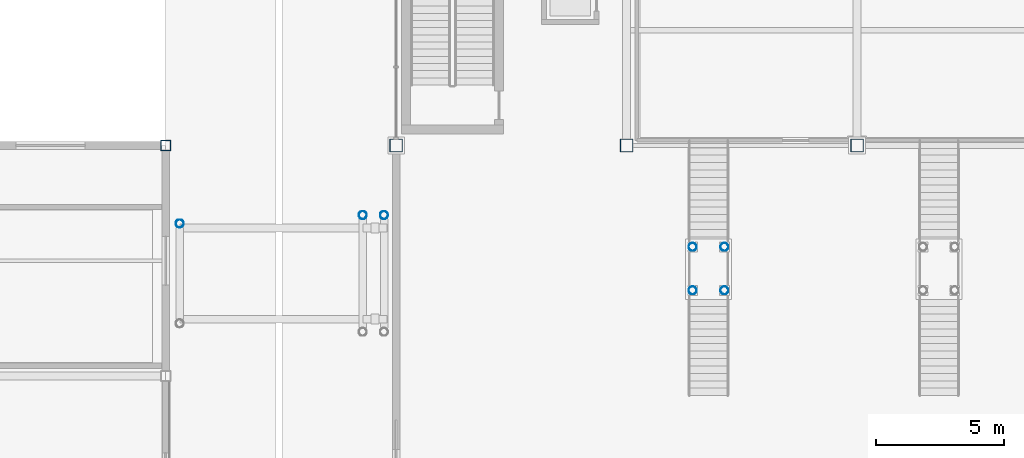
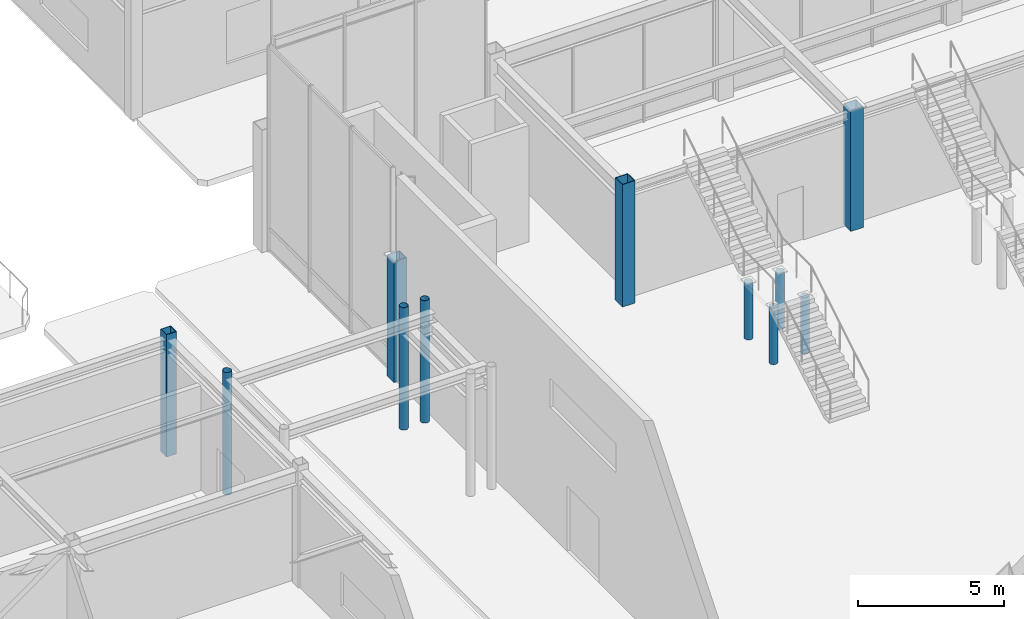
# One storey, part 5 of 123: 11 columns.
"""IFC4 building model written with IfcOpenShell, lengths in metres."""

from ifc_helpers import new_model, si_unit, direction, frame, origin, origin_2d, place, context, subcontext, project, spatial, hollow_rectangle, hollow_circle, extrude, material, material_profile, profile_set, type_object, element, save


model = new_model("IFC4")

# Units and contexts
model_context = context("Model", 3, precision=1e-05, world=origin(), true_north=direction((0.0, 1.0)))
body_context = subcontext(model_context, "Body", "Model", "MODEL_VIEW")
ifc_project = project(units=[si_unit("LENGTHUNIT", "METRE"), si_unit("AREAUNIT", "SQUARE_METRE"), si_unit("VOLUMEUNIT", "CUBIC_METRE"), si_unit("PLANEANGLEUNIT", "RADIAN"), si_unit("MASSUNIT", "GRAM", prefix="KILO")], contexts=[model_context])

# Site, building, storey
site_placement = place(None, origin())
site = spatial("IfcSite", under=ifc_project, at=site_placement, CompositionType="ELEMENT")
building_placement = place(site_placement, origin())
building = spatial("IfcBuilding", under=site, at=building_placement, Name="Suzunagisa Mobility Hub", CompositionType="ELEMENT")
storey_placement = place(building_placement, origin())
storey = spatial("IfcBuildingStorey", under=building, at=storey_placement, Name="L00", CompositionType="ELEMENT", Elevation=0.0)

# Columns
ifc_material = material(Name="Steel SN490B", Category="steel")
ifc_material_profile_1 = material_profile(ifc_material, hollow_circle(Radius=0.1591796875, WallThickness=0.01025390625, at=origin_2d()), Name="CHS-318.5x10.3")
ifc_profile_set_1 = profile_set([ifc_material_profile_1], Name="Steel SN490B")
column_type_1 = type_object("IfcColumnType", Name="Steel Column CL-09 CHS-318.5x10.3", PredefinedType="COLUMN", material=ifc_profile_set_1)
for number, where, z_axis, x_axis, name in (
    (1, (36.550048828125, 58.949951171875, 0.0), (0.0, 0.0, 1.0), (1.0, 0.0, 0.0), "L00 Column 91"),
    (2, (43.699951171875, 59.280029296875, 0.0), (0.0, 0.0, 1.0), (1.0, 0.0, 0.0), "L00 Column 104"),
    (3, (44.530029296875, 59.280029296875, 0.0), (0.0, 0.0, 1.0), (1.0, 0.0, 0.0), "L00 Column 110"),
):
    element("IfcColumn", number, at=place(storey_placement, frame(where, z_axis=z_axis, x_axis=x_axis)), inside=storey, type_object=column_type_1, Name=name, PredefinedType="COLUMN", context=body_context, shape_type="SweptSolid", body=[
        extrude(hollow_circle(Radius=0.1591796875, WallThickness=0.01025390625, at=origin_2d()), origin(), (0.0, 0.0, 1.0), 5.10009765625),
    ])
for number, where, z_axis, x_axis, name in (
    (4, (56.580078125, 56.340087890625, 0.0), (0.0, 0.0, 1.0), (1.0, 0.0, 0.0), "L00 Concourse Stair Post CS-01-1"),
    (5, (57.820068359375, 56.340087890625, 0.0), (0.0, 0.0, 1.0), (1.0, 0.0, 0.0), "L00 Concourse Stair Post CS-01-2"),
    (6, (56.580078125, 58.0400390625, 0.0), (0.0, 0.0, 1.0), (1.0, 0.0, 0.0), "L00 Concourse Stair Post CS-01-3"),
    (7, (57.820068359375, 58.0400390625, 0.0), (0.0, 0.0, 1.0), (1.0, 0.0, 0.0), "L00 Concourse Stair Post CS-01-4"),
):
    element("IfcColumn", number, at=place(storey_placement, frame(where, z_axis=z_axis, x_axis=x_axis)), inside=storey, type_object=column_type_1, Name=name, PredefinedType="COLUMN", context=body_context, shape_type="SweptSolid", body=[
        extrude(hollow_circle(Radius=0.1591796875, WallThickness=0.01025390625, at=origin_2d()), origin(), (0.0, 0.0, 1.0), 2.35009765625),
    ])
ifc_material_profile_2 = material_profile(ifc_material, hollow_rectangle(XDim=0.5, YDim=0.5, WallThickness=0.02490234375, at=origin_2d()), Name="BCR-500x500x25")
ifc_profile_set_2 = profile_set([ifc_material_profile_2], Name="Steel SN490B")
column_type_2 = type_object("IfcColumnType", Name="Steel Column CL-11 BCR-500x500x25", PredefinedType="COLUMN", material=ifc_profile_set_2)
column_1_placement = place(storey_placement, frame((45.0, 62.0, 0.0), z_axis=(0.0, 0.0, 1.0), x_axis=(1.0, 0.0, 0.0)))
element("IfcColumn", 8, at=column_1_placement, inside=storey, type_object=column_type_2, Name="L00 Column 116", PredefinedType="COLUMN", context=body_context, shape_type="SweptSolid", body=[
    extrude(hollow_rectangle(XDim=0.5, YDim=0.5, WallThickness=0.02490234375, at=origin_2d()), origin(), (0.0, 0.0, 1.0), 5.0400390625),
])
column_2_placement = place(storey_placement, frame((54.0, 62.0, 0.0), z_axis=(0.0, 0.0, 1.0), x_axis=(1.0, 0.0, 0.0)))
element("IfcColumn", 9, at=column_2_placement, inside=storey, type_object=column_type_2, Name="L00 Column 127", PredefinedType="COLUMN", context=body_context, shape_type="SweptSolid", body=[
    extrude(hollow_rectangle(XDim=0.5, YDim=0.5, WallThickness=0.02490234375, at=origin_2d()), origin(), (0.0, 0.0, 1.0), 5.10009765625),
])
column_3_placement = place(storey_placement, frame((63.0, 62.0, 0.0), z_axis=(0.0, 0.0, 1.0), x_axis=(1.0, 0.0, 0.0)))
element("IfcColumn", 10, at=column_3_placement, inside=storey, type_object=column_type_2, Name="L00 Column 136", PredefinedType="COLUMN", context=body_context, shape_type="SweptSolid", body=[
    extrude(hollow_rectangle(XDim=0.5, YDim=0.5, WallThickness=0.02490234375, at=origin_2d()), origin(), (0.0, 0.0, 1.0), 5.0400390625),
])
ifc_material_profile_3 = material_profile(ifc_material, hollow_rectangle(XDim=0.39990234375, YDim=0.39990234375, WallThickness=0.01904296875, at=origin_2d()), Name="BCR-400x400x19")
ifc_profile_set_3 = profile_set([ifc_material_profile_3], Name="Steel SN490B")
column_type_3 = type_object("IfcColumnType", Name="Steel Column CL-13 BCR-400x400x19", PredefinedType="COLUMN", material=ifc_profile_set_3)
column_4_placement = place(storey_placement, frame((36.0, 62.0, 0.0), z_axis=(0.0, 0.0, 1.0), x_axis=(1.0, 0.0, 0.0)))
element("IfcColumn", 11, at=column_4_placement, inside=storey, type_object=column_type_3, Name="L00 Column 84", PredefinedType="COLUMN", context=body_context, shape_type="SweptSolid", body=[
    extrude(hollow_rectangle(XDim=0.39990234375, YDim=0.39990234375, WallThickness=0.01904296875, at=origin_2d()), origin(), (0.0, 0.0, 1.0), 5.10009765625),
])

save(model, "model.ifc")
